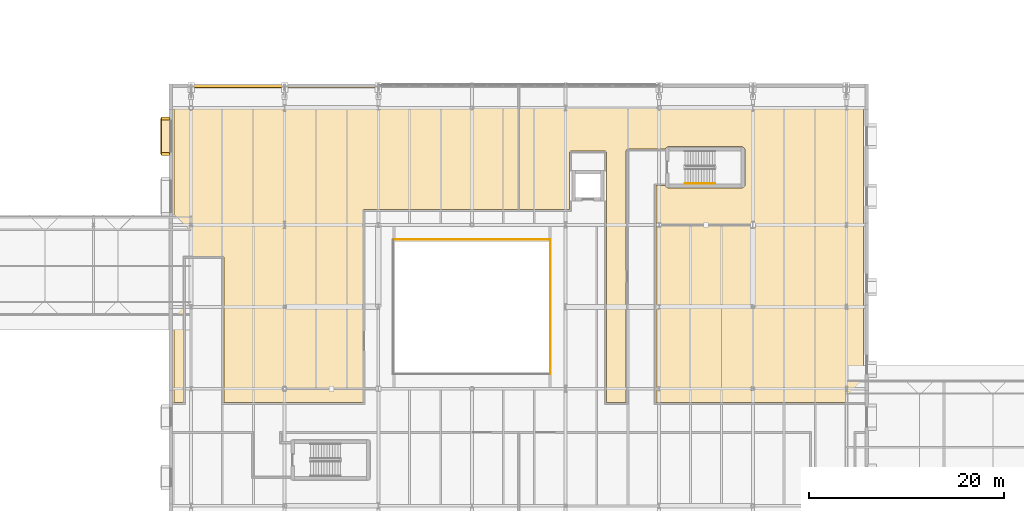
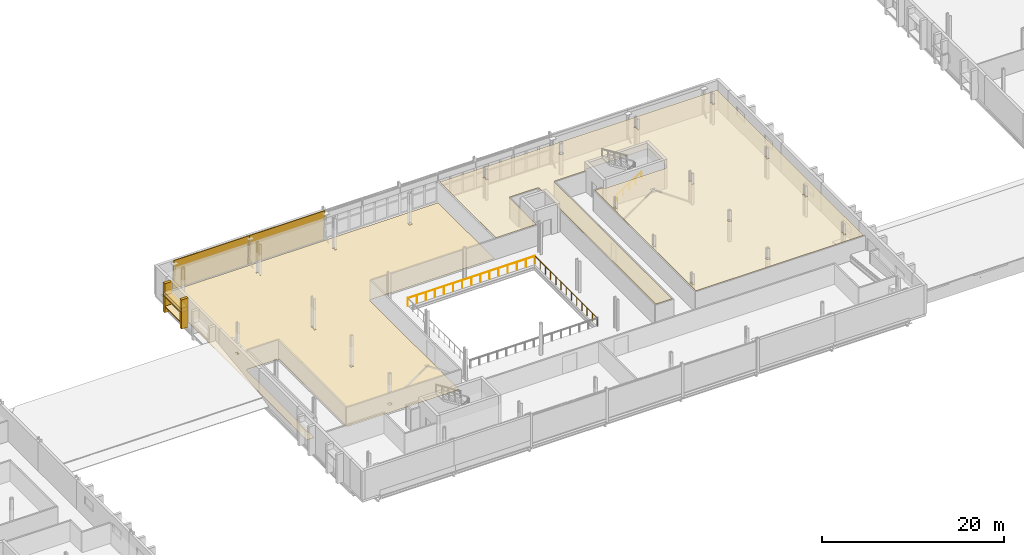
# One storey, part 79 of 90: 8 coverings, 3 railings, 1 shading device.
"""IFC4 building model written with IfcOpenShell, lengths in metres."""

from ifc_helpers import new_model, si_unit, direction, frame, origin, origin_2d, place, context, subcontext, project, spatial, polyline, rectangle, circle, outline, extrude, material, layer, layer_set, type_object, element, save


model = new_model("IFC4")

# Units and contexts
model_context = context("Model", 3, precision=1e-05, world=origin(), true_north=direction((0.0, 1.0)))
body_context = subcontext(model_context, "Body", "Model", "MODEL_VIEW")
ifc_project = project(units=[si_unit("LENGTHUNIT", "METRE"), si_unit("AREAUNIT", "SQUARE_METRE"), si_unit("VOLUMEUNIT", "CUBIC_METRE"), si_unit("PLANEANGLEUNIT", "RADIAN"), si_unit("MASSUNIT", "GRAM", prefix="KILO")], contexts=[model_context])

# Site, building, storey
site_placement = place(None, origin())
site = spatial("IfcSite", under=ifc_project, at=site_placement, CompositionType="ELEMENT")
building_placement = place(site_placement, origin())
building = spatial("IfcBuilding", under=site, at=building_placement, Name="Zereglee Splitstone Museum", CompositionType="ELEMENT")
storey_placement = place(building_placement, frame((0.0, 0.0, 4.800048828125)))
storey = spatial("IfcBuildingStorey", under=building, at=storey_placement, Name="L01", CompositionType="ELEMENT", Elevation=4.800048828125)

# Coverings
ifc_material_1 = material(Name="Perforated acoustic gypsum board ceiling", Category="masonry")
ifc_layer_1 = layer(ifc_material_1, 0.044921875)
ifc_layer_set_1 = layer_set([ifc_layer_1], Name="Perforated acoustic gypsum board ceiling")
covering_type_1 = type_object("IfcCoveringType", Name="CLG-02", PredefinedType="CEILING", material=ifc_layer_set_1)
covering_1_placement = place(storey_placement, frame((0.0, 0.0, 2.71484375)))
element("IfcCovering", 1, at=covering_1_placement, inside=storey, type_object=covering_type_1, Name="Acoustic Ceiling L01-027", PredefinedType="CEILING", context=body_context, shape_type="SweptSolid", body=[
    extrude(outline(polyline([(122.799072265625, 46.179931640625), (122.783203125, 46.17919921875), (122.781494140625, 46.178955078125), (122.765869140625, 46.1767578125), (122.763916015625, 46.17626953125), (122.748779296875, 46.172607421875), (122.746826171875, 46.171875), (122.73193359375, 46.166748046875), (122.730224609375, 46.166015625), (122.716064453125, 46.1591796875), (122.71435546875, 46.158203125), (122.70068359375, 46.150146484375), (122.69921875, 46.149169921875), (122.6865234375, 46.1396484375), (122.68505859375, 46.138427734375), (122.67333984375, 46.1279296875), (122.672119140625, 46.126708984375), (122.66162109375, 46.114990234375), (122.660400390625, 46.11328125), (122.65087890625, 46.100830078125), (122.64990234375, 46.09912109375), (122.6416015625, 46.085693359375), (122.640869140625, 46.083984375), (122.634033203125, 46.06982421875), (122.63330078125, 46.068115234375), (122.628173828125, 46.05322265625), (122.62744140625, 46.05126953125), (122.623779296875, 46.0361328125), (122.623291015625, 46.0341796875), (122.62109375, 46.0185546875), (122.620849609375, 46.0166015625), (122.6201171875, 46.0009765625), (122.6201171875, 46.0), (122.6201171875, 20.179931640625), (120.580078125, 20.179931640625), (120.580078125, 45.800048828125), (120.580078125, 45.801025390625), (120.5791015625, 45.816650390625), (120.5791015625, 45.818603515625), (120.57666015625, 45.833984375), (120.576416015625, 45.836181640625), (120.572509765625, 45.851318359375), (120.572021484375, 45.853271484375), (120.566650390625, 45.867919921875), (120.56591796875, 45.869873046875), (120.55908203125, 45.884033203125), (120.558349609375, 45.8857421875), (120.55029296875, 45.899169921875), (120.549072265625, 45.90087890625), (120.539794921875, 45.913330078125), (120.53857421875, 45.914794921875), (120.528076171875, 45.926513671875), (120.526611328125, 45.927978515625), (120.514892578125, 45.9384765625), (120.513427734375, 45.939697265625), (120.500732421875, 45.94921875), (120.499267578125, 45.9501953125), (120.485595703125, 45.958251953125), (120.48388671875, 45.959228515625), (120.4697265625, 45.9658203125), (120.468017578125, 45.966796875), (120.453125, 45.971923828125), (120.451416015625, 45.972412109375), (120.43603515625, 45.976318359375), (120.43408203125, 45.976806640625), (120.418701171875, 45.97900390625), (120.416748046875, 45.979248046875), (120.40087890625, 45.97998046875), (120.39990234375, 45.97998046875), (117.0, 45.97998046875), (116.9990234375, 45.97998046875), (116.9833984375, 45.979248046875), (116.9814453125, 45.97900390625), (116.9658203125, 45.976806640625), (116.9638671875, 45.976318359375), (116.94873046875, 45.972412109375), (116.94677734375, 45.971923828125), (116.931884765625, 45.966796875), (116.93017578125, 45.9658203125), (116.916015625, 45.959228515625), (116.914306640625, 45.958251953125), (116.90087890625, 45.9501953125), (116.899169921875, 45.94921875), (116.88671875, 45.939697265625), (116.885009765625, 45.9384765625), (116.873291015625, 45.927978515625), (116.8720703125, 45.926513671875), (116.861572265625, 45.914794921875), (116.8603515625, 45.913330078125), (116.850830078125, 45.90087890625), (116.849853515625, 45.899169921875), (116.841796875, 45.8857421875), (116.8408203125, 45.884033203125), (116.833984375, 45.869873046875), (116.833251953125, 45.867919921875), (116.828125, 45.853271484375), (116.827392578125, 45.851318359375), (116.82373046875, 45.836181640625), (116.8232421875, 45.833984375), (116.821044921875, 45.818603515625), (116.82080078125, 45.816650390625), (116.820068359375, 45.801025390625), (116.820068359375, 45.800048828125), (116.820068359375, 39.97998046875), (111.699951171875, 39.97998046875), (111.699951171875, 52.340087890625), (146.93994140625, 52.340087890625), (146.93994140625, 20.179931640625), (125.679931640625, 20.179931640625), (125.679931640625, 42.419921875), (126.62109375, 42.419921875), (126.629638671875, 42.402099609375), (126.65087890625, 42.36669921875), (126.67529296875, 42.33349609375), (126.702880859375, 42.302978515625), (126.733642578125, 42.275390625), (126.7666015625, 42.250732421875), (126.802001953125, 42.2294921875), (126.83935546875, 42.2119140625), (126.878173828125, 42.197998046875), (126.918212890625, 42.18798828125), (126.958740234375, 42.181884765625), (127.0, 42.179931640625), (134.39990234375, 42.179931640625), (134.441162109375, 42.181884765625), (134.48193359375, 42.18798828125), (134.52197265625, 42.197998046875), (134.560791015625, 42.2119140625), (134.597900390625, 42.2294921875), (134.63330078125, 42.250732421875), (134.66650390625, 42.275390625), (134.697021484375, 42.302978515625), (134.724609375, 42.33349609375), (134.749267578125, 42.36669921875), (134.7705078125, 42.402099609375), (134.7880859375, 42.439208984375), (134.802001953125, 42.47802734375), (134.81201171875, 42.51806640625), (134.818115234375, 42.558837890625), (134.820068359375, 42.60009765625), (134.820068359375, 46.0), (134.818115234375, 46.041259765625), (134.81201171875, 46.081787109375), (134.802001953125, 46.121826171875), (134.7880859375, 46.16064453125), (134.7705078125, 46.197998046875), (134.749267578125, 46.2333984375), (134.724609375, 46.266357421875), (134.697021484375, 46.297119140625), (134.66650390625, 46.32470703125), (134.63330078125, 46.34912109375), (134.597900390625, 46.370361328125), (134.560791015625, 46.387939453125), (134.52197265625, 46.40185546875), (134.48193359375, 46.411865234375), (134.441162109375, 46.41796875), (134.39990234375, 46.419921875), (127.0, 46.419921875), (126.958740234375, 46.41796875), (126.918212890625, 46.411865234375), (126.878173828125, 46.40185546875), (126.83935546875, 46.387939453125), (126.802001953125, 46.370361328125), (126.7666015625, 46.34912109375), (126.733642578125, 46.32470703125), (126.702880859375, 46.297119140625), (126.67529296875, 46.266357421875), (126.65087890625, 46.2333984375), (126.629638671875, 46.197998046875), (126.62109375, 46.179931640625), (122.800048828125, 46.179931640625), (122.799072265625, 46.179931640625)]), holes=[polyline([(126.157958984375, 21.8330078125), (125.842041015625, 21.8330078125), (125.842041015625, 21.791015625), (125.985107421875, 21.791015625), (125.985107421875, 21.408935546875), (125.842041015625, 21.408935546875), (125.842041015625, 21.366943359375), (126.157958984375, 21.366943359375), (126.157958984375, 21.408935546875), (126.014892578125, 21.408935546875), (126.014892578125, 21.791015625), (126.157958984375, 21.791015625), (126.157958984375, 21.8330078125)]), polyline([(145.35791015625, 21.883056640625), (145.0419921875, 21.883056640625), (145.0419921875, 21.837890625), (145.1845703125, 21.837890625), (145.1845703125, 21.362060546875), (145.0419921875, 21.362060546875), (145.0419921875, 21.31689453125), (145.35791015625, 21.31689453125), (145.35791015625, 21.362060546875), (145.215576171875, 21.362060546875), (145.215576171875, 21.837890625), (145.35791015625, 21.837890625), (145.35791015625, 21.883056640625)]), polyline([(135.4169921875, 21.782958984375), (135.4169921875, 21.4169921875), (135.782958984375, 21.4169921875), (135.782958984375, 21.782958984375), (135.4169921875, 21.782958984375)]), polyline([(126.157958984375, 30.2080078125), (125.842041015625, 30.2080078125), (125.842041015625, 30.16796875), (125.985107421875, 30.16796875), (125.985107421875, 29.83203125), (125.842041015625, 29.83203125), (125.842041015625, 29.7919921875), (126.157958984375, 29.7919921875), (126.157958984375, 29.83203125), (126.014892578125, 29.83203125), (126.014892578125, 30.16796875), (126.157958984375, 30.16796875), (126.157958984375, 30.2080078125)]), polyline([(135.44189453125, 30.157958984375), (135.44189453125, 29.842041015625), (135.758056640625, 29.842041015625), (135.758056640625, 30.157958984375), (135.44189453125, 30.157958984375)]), polyline([(145.35791015625, 30.258056640625), (145.0419921875, 30.258056640625), (145.0419921875, 30.214111328125), (145.184814453125, 30.214111328125), (145.184814453125, 29.785888671875), (145.0419921875, 29.785888671875), (145.0419921875, 29.741943359375), (145.35791015625, 29.741943359375), (145.35791015625, 29.785888671875), (145.215087890625, 29.785888671875), (145.215087890625, 30.214111328125), (145.35791015625, 30.214111328125), (145.35791015625, 30.258056640625)]), polyline([(135.758056640625, 38.7099609375), (135.758056640625, 38.758056640625), (135.44189453125, 38.758056640625), (135.44189453125, 38.7099609375), (135.58349609375, 38.7099609375), (135.58349609375, 38.090087890625), (135.44189453125, 38.090087890625), (135.44189453125, 38.0419921875), (135.758056640625, 38.0419921875), (135.758056640625, 38.090087890625), (135.616455078125, 38.090087890625), (135.616455078125, 38.7099609375), (135.758056640625, 38.7099609375)]), polyline([(145.35791015625, 38.633056640625), (145.0419921875, 38.633056640625), (145.0419921875, 38.591064453125), (145.18505859375, 38.591064453125), (145.18505859375, 38.208984375), (145.0419921875, 38.208984375), (145.0419921875, 38.1669921875), (145.35791015625, 38.1669921875), (145.35791015625, 38.208984375), (145.215087890625, 38.208984375), (145.215087890625, 38.591064453125), (145.35791015625, 38.591064453125), (145.35791015625, 38.633056640625)]), polyline([(126.157958984375, 38.587890625), (125.842041015625, 38.587890625), (125.842041015625, 38.549560546875), (125.985595703125, 38.549560546875), (125.985595703125, 38.25048828125), (125.842041015625, 38.25048828125), (125.842041015625, 38.2119140625), (126.157958984375, 38.2119140625), (126.157958984375, 38.25048828125), (126.014404296875, 38.25048828125), (126.014404296875, 38.549560546875), (126.157958984375, 38.549560546875), (126.157958984375, 38.587890625)]), polyline([(145.35791015625, 50.60791015625), (145.0419921875, 50.60791015625), (145.0419921875, 50.568115234375), (145.185302734375, 50.568115234375), (145.185302734375, 50.23193359375), (145.0419921875, 50.23193359375), (145.0419921875, 50.19189453125), (145.35791015625, 50.19189453125), (145.35791015625, 50.23193359375), (145.214599609375, 50.23193359375), (145.214599609375, 50.568115234375), (145.35791015625, 50.568115234375), (145.35791015625, 50.60791015625)]), polyline([(135.758056640625, 50.73291015625), (135.44189453125, 50.73291015625), (135.44189453125, 50.68603515625), (135.583984375, 50.68603515625), (135.583984375, 50.114013671875), (135.44189453125, 50.114013671875), (135.44189453125, 50.06689453125), (135.758056640625, 50.06689453125), (135.758056640625, 50.114013671875), (135.615966796875, 50.114013671875), (135.615966796875, 50.68603515625), (135.758056640625, 50.68603515625), (135.758056640625, 50.73291015625)]), polyline([(126.046142578125, 50.16796875), (126.090576171875, 50.181396484375), (126.13134765625, 50.203369140625), (126.167236328125, 50.23291015625), (126.196533203125, 50.2685546875), (126.218505859375, 50.3095703125), (126.23193359375, 50.35400390625), (126.236572265625, 50.39990234375), (126.23193359375, 50.446044921875), (126.218505859375, 50.490478515625), (126.196533203125, 50.531494140625), (126.167236328125, 50.567138671875), (126.13134765625, 50.5966796875), (126.090576171875, 50.618408203125), (126.046142578125, 50.632080078125), (126.0, 50.636474609375), (125.953857421875, 50.632080078125), (125.909423828125, 50.618408203125), (125.86865234375, 50.5966796875), (125.832763671875, 50.567138671875), (125.803466796875, 50.531494140625), (125.781494140625, 50.490478515625), (125.76806640625, 50.446044921875), (125.763427734375, 50.39990234375), (125.76806640625, 50.35400390625), (125.781494140625, 50.3095703125), (125.803466796875, 50.2685546875), (125.832763671875, 50.23291015625), (125.86865234375, 50.203369140625), (125.909423828125, 50.181396484375), (125.953857421875, 50.16796875), (126.0, 50.16357421875), (126.046142578125, 50.16796875)]), polyline([(116.55810546875, 50.68310546875), (116.241943359375, 50.68310546875), (116.241943359375, 50.637939453125), (116.384521484375, 50.637939453125), (116.384521484375, 50.162109375), (116.241943359375, 50.162109375), (116.241943359375, 50.116943359375), (116.55810546875, 50.116943359375), (116.55810546875, 50.162109375), (116.41552734375, 50.162109375), (116.41552734375, 50.637939453125), (116.55810546875, 50.637939453125), (116.55810546875, 50.68310546875)])]), origin(), (0.0, 0.0, 1.0), 0.045166015625),
])
ifc_material_2 = material(Name="Honed Gobi pale limestone stringcourse and soffit cladding", Category="masonry")
ifc_layer_2 = layer(ifc_material_2, 0.070068359375)
ifc_layer_set_2 = layer_set([ifc_layer_2], Name="Honed Gobi pale limestone stringcourse and soffit cladding")
covering_type_2 = type_object("IfcCoveringType", Name="CL-02", PredefinedType="CLADDING", material=ifc_layer_set_2)
for number, where, z_axis, x_axis, name in (
    (2, (75.375, 49.31005859375, 0.0), (0.0, 0.0, 1.0), (0.0, -1.0, 0.0), "Mughal Window Reveal Stone Pilaster L01-0032L"),
    (3, (75.375, 45.669921875, 0.0), (0.0, 0.0, 1.0), (0.0, -1.0, 0.0), "Mughal Window Reveal Stone Pilaster L01-0032R"),
):
    element("IfcCovering", number, at=place(storey_placement, frame(where, z_axis=z_axis, x_axis=x_axis)), inside=storey, type_object=covering_type_2, Name=name, PredefinedType="CLADDING", context=body_context, shape_type="SweptSolid", body=[
        extrude(rectangle(XDim=0.340087890625, YDim=0.860107421875, at=origin_2d()), origin(), (0.0, 0.0, 1.0), 3.89990234375),
    ])
covering_2_placement = place(storey_placement, frame((75.364990234375, 47.489990234375, 0.760009765625), z_axis=(0.0, 0.0, 1.0), x_axis=(0.0, -1.0, 0.0)))
element("IfcCovering", 4, at=covering_2_placement, inside=storey, type_object=covering_type_2, Name="Carved Limestone Window Sill L01-0032", PredefinedType="CLADDING", context=body_context, shape_type="SweptSolid", body=[
    extrude(rectangle(XDim=3.840087890625, YDim=0.840087890625, at=origin_2d()), origin(), (0.0, 0.0, 1.0), 0.1201171875),
])
ifc_material_3 = material(Name="Honed Khoroo red sandstone ventilated rainscreen", Category="masonry")
ifc_layer_3 = layer(ifc_material_3, 0.080078125)
ifc_layer_set_3 = layer_set([ifc_layer_3], Name="Honed Khoroo red sandstone ventilated rainscreen")
covering_type_3 = type_object("IfcCoveringType", Name="CL-01", PredefinedType="CLADDING", material=ifc_layer_set_3)
covering_3_placement = place(storey_placement, frame((75.364990234375, 47.489990234375, 2.159912109375), z_axis=(0.0, 0.0, 1.0), x_axis=(0.0, -1.0, 0.0)))
element("IfcCovering", 5, at=covering_3_placement, inside=storey, type_object=covering_type_3, Name="Pointed-Arch Mughal Window Hood L01-0032", PredefinedType="CLADDING", context=body_context, shape_type="SweptSolid", body=[
    extrude(rectangle(XDim=3.840087890625, YDim=0.860107421875, at=origin_2d()), origin(), (0.0, 0.0, 1.0), 0.580078125),
])
covering_4_placement = place(storey_placement, frame((78.0, 52.495849609375, 3.949951171875), z_axis=(0.0, 0.995859600442, 0.090904654488), x_axis=(1.0, 0.0, 0.0)))
element("IfcCovering", 6, at=covering_4_placement, inside=storey, type_object=covering_type_3, Name="Split-Rock Continuous Inclined Facet FH-V2NW L01.1", PredefinedType="CLADDING", context=body_context, shape_type="SweptSolid", body=[
    extrude(outline(polyline([(0.0, 0.0), (9.60009765625, 0.0), (9.60009765625, 4.117144278601649), (0.0, 4.117144278601649), (0.0, 0.0)])), origin(), (0.0, 0.0, -1.0), 0.080078125),
])
covering_5_placement = place(storey_placement, frame((87.60009765625, 52.495849609375, 3.949951171875), z_axis=(0.0, 0.995859600442, 0.090904654488), x_axis=(1.0, 0.0, 0.0)))
element("IfcCovering", 7, at=covering_5_placement, inside=storey, type_object=covering_type_3, Name="Split-Rock Continuous Inclined Facet FH-V2NW L01.2", PredefinedType="CLADDING", context=body_context, shape_type="SweptSolid", body=[
    extrude(outline(polyline([(0.0, 0.0), (9.599853515625, 0.0), (9.599853515625, 4.117144278601649), (0.0, 4.117144278601649), (0.0, 0.0)])), origin(), (0.0, 0.0, -1.0), 0.080078125),
])
ifc_material_4 = material(Name="Honed Gobi granite terrazzo flooring", Category="masonry")
ifc_layer_4 = layer(ifc_material_4, 0.030029296875)
ifc_layer_set_4 = layer_set([ifc_layer_4], Name="Honed Gobi granite terrazzo flooring")
covering_type_4 = type_object("IfcCoveringType", Name="FLR-01", PredefinedType="FLOORING", material=ifc_layer_set_4)
covering_6_placement = place(storey_placement, origin())
element("IfcCovering", 8, at=covering_6_placement, inside=storey, type_object=covering_type_4, Name="Terrazzo Gallery Flooring L01-016", PredefinedType="FLOORING", context=body_context, shape_type="SweptSolid", body=[
    extrude(outline(polyline([(81.3798828125, 35.0), (81.3798828125, 35.0009765625), (81.379150390625, 35.0166015625), (81.37890625, 35.0185546875), (81.376708984375, 35.0341796875), (81.376220703125, 35.0361328125), (81.37255859375, 35.05126953125), (81.371826171875, 35.05322265625), (81.36669921875, 35.068115234375), (81.365966796875, 35.06982421875), (81.359130859375, 35.083984375), (81.3583984375, 35.085693359375), (81.35009765625, 35.09912109375), (81.34912109375, 35.100830078125), (81.339599609375, 35.11328125), (81.33837890625, 35.114990234375), (81.327880859375, 35.126708984375), (81.32666015625, 35.1279296875), (81.31494140625, 35.138427734375), (81.3134765625, 35.1396484375), (81.30078125, 35.149169921875), (81.29931640625, 35.150146484375), (81.28564453125, 35.158203125), (81.283935546875, 35.1591796875), (81.269775390625, 35.166015625), (81.26806640625, 35.166748046875), (81.253173828125, 35.171875), (81.251220703125, 35.172607421875), (81.236083984375, 35.17626953125), (81.234130859375, 35.1767578125), (81.218505859375, 35.178955078125), (81.216796875, 35.17919921875), (81.200927734375, 35.179931640625), (81.199951171875, 35.179931640625), (77.39990234375, 35.179931640625), (77.39892578125, 35.179931640625), (77.38330078125, 35.17919921875), (77.38134765625, 35.178955078125), (77.365966796875, 35.1767578125), (77.364013671875, 35.17626953125), (77.3486328125, 35.172607421875), (77.3466796875, 35.171875), (77.33203125, 35.166748046875), (77.330078125, 35.166015625), (77.31591796875, 35.1591796875), (77.314208984375, 35.158203125), (77.30078125, 35.150146484375), (77.29931640625, 35.149169921875), (77.28662109375, 35.1396484375), (77.28515625, 35.138427734375), (77.2734375, 35.1279296875), (77.27197265625, 35.126708984375), (77.261474609375, 35.114990234375), (77.26025390625, 35.11328125), (77.2509765625, 35.100830078125), (77.249755859375, 35.09912109375), (77.24169921875, 35.085693359375), (77.24072265625, 35.083984375), (77.234130859375, 35.06982421875), (77.2333984375, 35.068115234375), (77.22802734375, 35.05322265625), (77.2275390625, 35.05126953125), (77.2236328125, 35.0361328125), (77.223388671875, 35.0341796875), (77.220947265625, 35.0185546875), (77.220703125, 35.0166015625), (77.219970703125, 35.0009765625), (77.219970703125, 35.0), (77.219970703125, 20.179931640625), (76.260009765625, 20.179931640625), (76.260009765625, 52.340087890625), (111.5, 52.340087890625), (111.5, 39.97998046875), (95.800048828125, 39.97998046875), (95.799072265625, 39.97998046875), (95.783203125, 39.979248046875), (95.781494140625, 39.97900390625), (95.765869140625, 39.976806640625), (95.763916015625, 39.976318359375), (95.748779296875, 39.972412109375), (95.746826171875, 39.971923828125), (95.73193359375, 39.966796875), (95.730224609375, 39.9658203125), (95.716064453125, 39.959228515625), (95.71435546875, 39.958251953125), (95.70068359375, 39.9501953125), (95.69921875, 39.94921875), (95.6865234375, 39.939697265625), (95.68505859375, 39.9384765625), (95.67333984375, 39.927978515625), (95.672119140625, 39.926513671875), (95.66162109375, 39.914794921875), (95.660400390625, 39.913330078125), (95.65087890625, 39.90087890625), (95.64990234375, 39.899169921875), (95.6416015625, 39.8857421875), (95.640869140625, 39.884033203125), (95.634033203125, 39.869873046875), (95.63330078125, 39.867919921875), (95.628173828125, 39.853271484375), (95.62744140625, 39.851318359375), (95.623779296875, 39.836181640625), (95.623291015625, 39.833984375), (95.62109375, 39.818603515625), (95.620849609375, 39.816650390625), (95.6201171875, 39.801025390625), (95.6201171875, 39.800048828125), (95.6201171875, 20.199951171875), (95.6201171875, 20.198974609375), (95.620849609375, 20.183349609375), (95.62109375, 20.181396484375), (95.62109375, 20.179931640625), (81.3798828125, 20.179931640625), (81.3798828125, 35.0)]), holes=[polyline([(87.4169921875, 21.782958984375), (87.4169921875, 21.4169921875), (87.782958984375, 21.4169921875), (87.782958984375, 21.782958984375), (87.4169921875, 21.782958984375)]), polyline([(87.44189453125, 30.157958984375), (87.44189453125, 29.842041015625), (87.758056640625, 29.842041015625), (87.758056640625, 30.157958984375), (87.44189453125, 30.157958984375)]), polyline([(78.157958984375, 38.587890625), (77.842041015625, 38.587890625), (77.842041015625, 38.549560546875), (77.985595703125, 38.549560546875), (77.985595703125, 38.25048828125), (77.842041015625, 38.25048828125), (77.842041015625, 38.2119140625), (78.157958984375, 38.2119140625), (78.157958984375, 38.25048828125), (78.014404296875, 38.25048828125), (78.014404296875, 38.549560546875), (78.157958984375, 38.549560546875), (78.157958984375, 38.587890625)]), polyline([(87.758056640625, 38.758056640625), (87.44189453125, 38.758056640625), (87.44189453125, 38.7099609375), (87.58349609375, 38.7099609375), (87.58349609375, 38.090087890625), (87.44189453125, 38.090087890625), (87.44189453125, 38.0419921875), (87.758056640625, 38.0419921875), (87.758056640625, 38.090087890625), (87.616455078125, 38.090087890625), (87.616455078125, 38.7099609375), (87.758056640625, 38.7099609375), (87.758056640625, 38.758056640625)]), polyline([(78.046142578125, 50.16796875), (78.090576171875, 50.181396484375), (78.13134765625, 50.203369140625), (78.167236328125, 50.23291015625), (78.196533203125, 50.2685546875), (78.218505859375, 50.3095703125), (78.23193359375, 50.35400390625), (78.236572265625, 50.39990234375), (78.23193359375, 50.446044921875), (78.218505859375, 50.490478515625), (78.196533203125, 50.531494140625), (78.167236328125, 50.567138671875), (78.13134765625, 50.5966796875), (78.090576171875, 50.618408203125), (78.046142578125, 50.632080078125), (78.0, 50.636474609375), (77.953857421875, 50.632080078125), (77.909423828125, 50.618408203125), (77.86865234375, 50.5966796875), (77.832763671875, 50.567138671875), (77.803466796875, 50.531494140625), (77.781494140625, 50.490478515625), (77.76806640625, 50.446044921875), (77.763427734375, 50.39990234375), (77.76806640625, 50.35400390625), (77.781494140625, 50.3095703125), (77.803466796875, 50.2685546875), (77.832763671875, 50.23291015625), (77.86865234375, 50.203369140625), (77.909423828125, 50.181396484375), (77.953857421875, 50.16796875), (78.0, 50.16357421875), (78.046142578125, 50.16796875)]), polyline([(87.758056640625, 50.73291015625), (87.44189453125, 50.73291015625), (87.44189453125, 50.68603515625), (87.583984375, 50.68603515625), (87.583984375, 50.114013671875), (87.44189453125, 50.114013671875), (87.44189453125, 50.06689453125), (87.758056640625, 50.06689453125), (87.758056640625, 50.114013671875), (87.615966796875, 50.114013671875), (87.615966796875, 50.68603515625), (87.758056640625, 50.68603515625), (87.758056640625, 50.73291015625)]), polyline([(97.35791015625, 50.60791015625), (97.0419921875, 50.60791015625), (97.0419921875, 50.568115234375), (97.185302734375, 50.568115234375), (97.185302734375, 50.23193359375), (97.0419921875, 50.23193359375), (97.0419921875, 50.19189453125), (97.35791015625, 50.19189453125), (97.35791015625, 50.23193359375), (97.21484375, 50.23193359375), (97.21484375, 50.568115234375), (97.35791015625, 50.568115234375), (97.35791015625, 50.60791015625)]), polyline([(106.98291015625, 50.5830078125), (106.616943359375, 50.5830078125), (106.616943359375, 50.217041015625), (106.98291015625, 50.217041015625), (106.98291015625, 50.5830078125)])]), origin(), (0.0, 0.0, 1.0), 0.030029296875),
])

# Railings
ifc_material_5 = material(Name="Glazed laminated glass and bronze balustrade", Category="glass")
railing_type_1 = type_object("IfcRailingType", Name="GR-02", PredefinedType="BALUSTRADE", material=ifc_material_5)
railing_1_placement = place(storey_placement, frame((114.8798828125, 23.1201171875, 0.0)))
element("IfcRailing", 9, at=railing_1_placement, inside=storey, type_object=railing_type_1, Name="Atrium Glazed Balustrade L01 Side 2", PredefinedType="BALUSTRADE", context=body_context, shape_type="SweptSolid", body=[
    extrude(circle(Radius=0.02392578125, at=origin_2d()), frame((0.0, 0.0, 1.076416015625), z_axis=(0.0, 1.0, 0.0), x_axis=(-1.0, 0.0, 0.0)), (0.0, 0.0, 1.0), 13.759765625),
    extrude(circle(Radius=0.02099609375, at=origin_2d()), origin(), (0.0, 0.0, 1.0), 1.052001953125),
    extrude(circle(Radius=0.02099609375, at=origin_2d()), frame((0.0, 1.146728515625, 0.0)), (0.0, 0.0, 1.0), 1.052001953125),
    extrude(circle(Radius=0.02099609375, at=origin_2d()), frame((0.0, 2.293212890625, 0.0)), (0.0, 0.0, 1.0), 1.052001953125),
    extrude(circle(Radius=0.02099609375, at=origin_2d()), frame((0.0, 3.43994140625, 0.0)), (0.0, 0.0, 1.0), 1.052001953125),
    extrude(circle(Radius=0.02099609375, at=origin_2d()), frame((0.0, 4.586669921875, 0.0)), (0.0, 0.0, 1.0), 1.052001953125),
    extrude(circle(Radius=0.02099609375, at=origin_2d()), frame((0.0, 5.733154296875, 0.0)), (0.0, 0.0, 1.0), 1.052001953125),
    extrude(circle(Radius=0.02099609375, at=origin_2d()), frame((0.0, 6.8798828125, 0.0)), (0.0, 0.0, 1.0), 1.052001953125),
    extrude(circle(Radius=0.02099609375, at=origin_2d()), frame((0.0, 8.026611328125, 0.0)), (0.0, 0.0, 1.0), 1.052001953125),
    extrude(circle(Radius=0.02099609375, at=origin_2d()), frame((0.0, 9.173095703125, 0.0)), (0.0, 0.0, 1.0), 1.052001953125),
    extrude(circle(Radius=0.02099609375, at=origin_2d()), frame((0.0, 10.31982421875, 0.0)), (0.0, 0.0, 1.0), 1.052001953125),
    extrude(circle(Radius=0.02099609375, at=origin_2d()), frame((0.0, 11.466552734375, 0.0)), (0.0, 0.0, 1.0), 1.052001953125),
    extrude(circle(Radius=0.02099609375, at=origin_2d()), frame((0.0, 12.613037109375, 0.0)), (0.0, 0.0, 1.0), 1.052001953125),
    extrude(circle(Radius=0.02099609375, at=origin_2d()), frame((0.0, 13.759765625, 0.0)), (0.0, 0.0, 1.0), 1.052001953125),
])
railing_2_placement = place(storey_placement, frame((114.8798828125, 36.8798828125, 0.0)))
element("IfcRailing", 10, at=railing_2_placement, inside=storey, type_object=railing_type_1, Name="Atrium Glazed Balustrade L01 Side 3", PredefinedType="BALUSTRADE", context=body_context, shape_type="SweptSolid", body=[
    extrude(circle(Radius=0.02392578125, at=origin_2d()), frame((0.0, 0.0, 1.076416015625), z_axis=(-1.0, 0.0, 0.0), x_axis=(0.0, -1.0, 0.0)), (0.0, 0.0, 1.0), 16.159912109375),
    extrude(circle(Radius=0.02099609375, at=origin_2d()), origin(), (0.0, 0.0, 1.0), 1.052001953125),
    extrude(circle(Radius=0.02099609375, at=origin_2d()), frame((-1.154296875, 0.0, 0.0)), (0.0, 0.0, 1.0), 1.052001953125),
    extrude(circle(Radius=0.02099609375, at=origin_2d()), frame((-2.30859375, 0.0, 0.0)), (0.0, 0.0, 1.0), 1.052001953125),
    extrude(circle(Radius=0.02099609375, at=origin_2d()), frame((-3.462890625, 0.0, 0.0)), (0.0, 0.0, 1.0), 1.052001953125),
    extrude(circle(Radius=0.02099609375, at=origin_2d()), frame((-4.6171875, 0.0, 0.0)), (0.0, 0.0, 1.0), 1.052001953125),
    extrude(circle(Radius=0.02099609375, at=origin_2d()), frame((-5.771484375, 0.0, 0.0)), (0.0, 0.0, 1.0), 1.052001953125),
    extrude(circle(Radius=0.02099609375, at=origin_2d()), frame((-6.92578125, 0.0, 0.0)), (0.0, 0.0, 1.0), 1.052001953125),
    extrude(circle(Radius=0.02099609375, at=origin_2d()), frame((-8.080078125, 0.0, 0.0)), (0.0, 0.0, 1.0), 1.052001953125),
    extrude(circle(Radius=0.02099609375, at=origin_2d()), frame((-9.234130859375, 0.0, 0.0)), (0.0, 0.0, 1.0), 1.052001953125),
    extrude(circle(Radius=0.02099609375, at=origin_2d()), frame((-10.388427734375, 0.0, 0.0)), (0.0, 0.0, 1.0), 1.052001953125),
    extrude(circle(Radius=0.02099609375, at=origin_2d()), frame((-11.542724609375, 0.0, 0.0)), (0.0, 0.0, 1.0), 1.052001953125),
    extrude(circle(Radius=0.02099609375, at=origin_2d()), frame((-12.697021484375, 0.0, 0.0)), (0.0, 0.0, 1.0), 1.052001953125),
    extrude(circle(Radius=0.02099609375, at=origin_2d()), frame((-13.851318359375, 0.0, 0.0)), (0.0, 0.0, 1.0), 1.052001953125),
    extrude(circle(Radius=0.02099609375, at=origin_2d()), frame((-15.005615234375, 0.0, 0.0)), (0.0, 0.0, 1.0), 1.052001953125),
    extrude(circle(Radius=0.02099609375, at=origin_2d()), frame((-16.159912109375, 0.0, 0.0)), (0.0, 0.0, 1.0), 1.052001953125),
])
ifc_material_6 = material(Name="Architectural bronze tubular handrail", Category="steel")
railing_type_2 = type_object("IfcRailingType", Name="HR-01", PredefinedType="HANDRAIL", material=ifc_material_6)
railing_3_placement = place(storey_placement, frame((128.64990234375, 42.64990234375, 0.175048828125)))
element("IfcRailing", 11, at=railing_3_placement, inside=storey, type_object=railing_type_2, Name="L01 ST-03 stair handrail 1", PredefinedType="HANDRAIL", context=body_context, shape_type="SweptSolid", body=[
    extrude(circle(Radius=0.02392578125, at=origin_2d()), frame((0.0, 0.0, 0.8759765625), z_axis=(0.848028513186, 0.0, 0.529950602248), x_axis=(0.0, 1.0, 0.0)), (0.0, 0.0, 1.0), 3.632080078125),
    extrude(circle(Radius=0.02099609375, at=origin_2d()), origin(), (0.0, 0.0, 1.0), 0.851806640625),
    extrude(circle(Radius=0.02099609375, at=origin_2d()), frame((0.77001953125, 0.0, 0.481201171875)), (0.0, 0.0, 1.0), 0.851806640625),
    extrude(circle(Radius=0.02099609375, at=origin_2d()), frame((1.5400390625, 0.0, 0.96240234375)), (0.0, 0.0, 1.0), 0.851806640625),
    extrude(circle(Radius=0.02099609375, at=origin_2d()), frame((2.31005859375, 0.0, 1.443603515625)), (0.0, 0.0, 1.0), 0.851806640625),
    extrude(circle(Radius=0.02099609375, at=origin_2d()), frame((3.080078125, 0.0, 1.9248046875)), (0.0, 0.0, 1.0), 0.851806640625),
])

# Shading device
ifc_material_7 = material(Name="Anodised bronze extruded aluminium chhajja brise-soleil", Category="aluminium")
ifc_layer_5 = layer(ifc_material_7, 0.080078125)
ifc_layer_set_5 = layer_set([ifc_layer_5], Name="Anodised bronze extruded aluminium chhajja brise-soleil")
shading_device_type = type_object("IfcShadingDeviceType", Name="SH-01", PredefinedType="SHUTTER", material=ifc_layer_set_5)
shading_device_placement = place(storey_placement, frame((75.364990234375, 47.489990234375, 2.239990234375), z_axis=(0.0, 0.0, 1.0), x_axis=(0.0, -1.0, 0.0)))
element("IfcShadingDevice", 12, at=shading_device_placement, inside=storey, type_object=shading_device_type, Name="Chhajja Window Brise-Soleil 19", PredefinedType="SHUTTER", context=body_context, shape_type="SweptSolid", body=[
    extrude(rectangle(XDim=3.60009765625, YDim=0.97998046875, at=origin_2d()), origin(), (0.0, 0.0, 1.0), 0.080078125),
])

save(model, "model.ifc")
